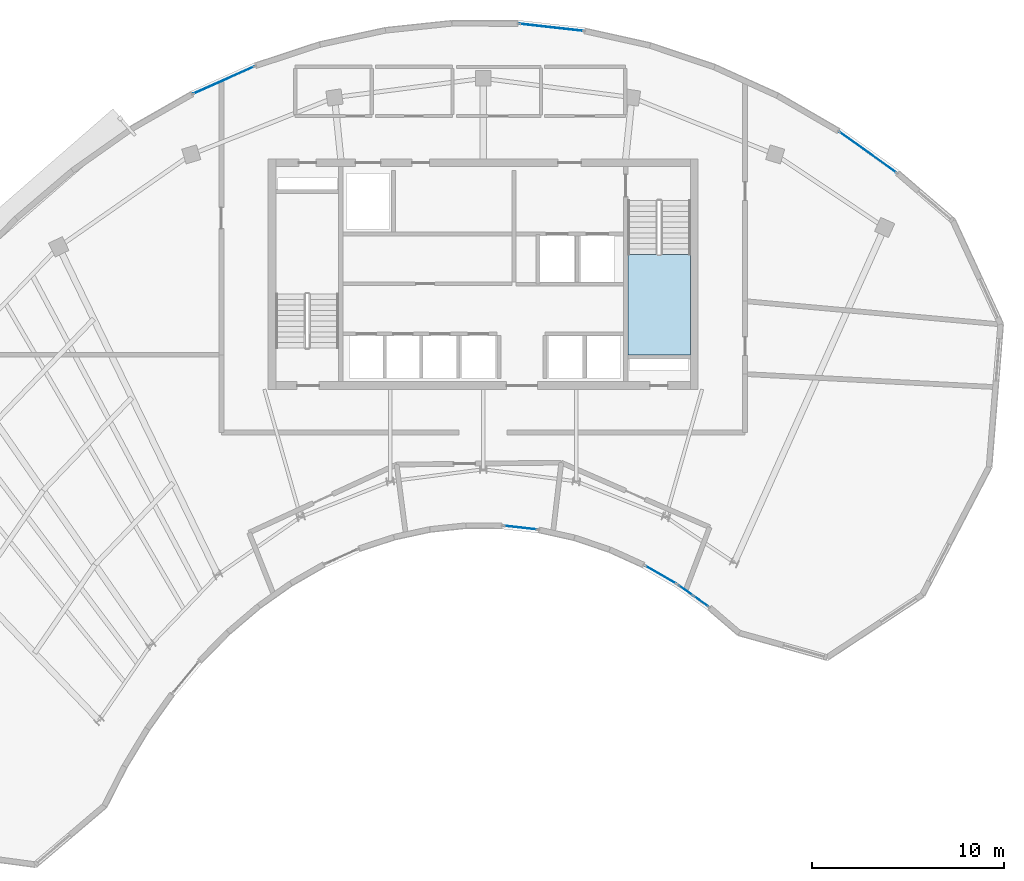
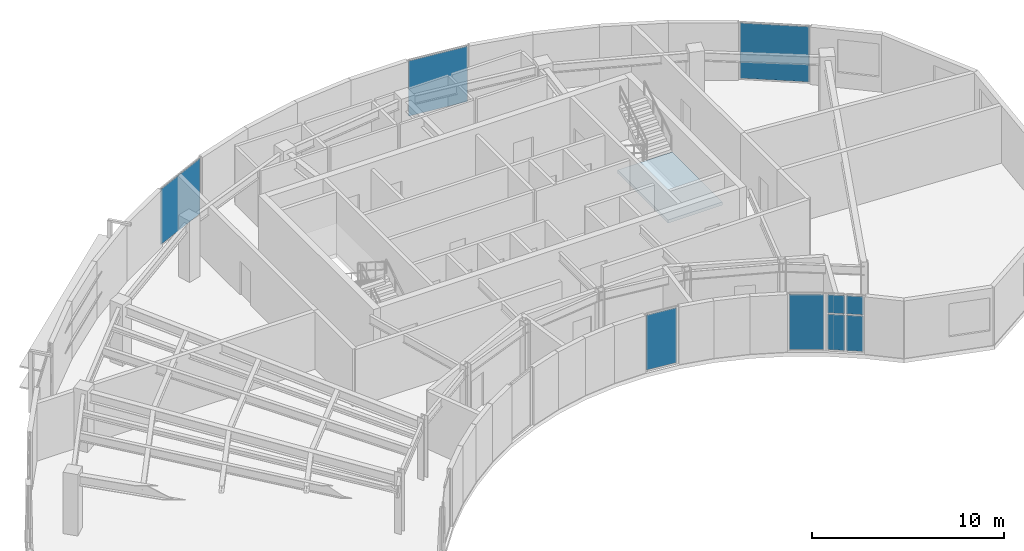
# One storey, part 7 of 12: 9 plates, 1 slab, 7 elements without a shape of their own.
"""IFC4 building model written with IfcOpenShell, lengths in metres."""

from ifc_helpers import new_model, si_unit, direction, frame, origin, origin_2d, place, context, subcontext, project, spatial, polyline, rectangle, outline, extrude, source, transform, mapped, material, layer, layer_set, type_object, element, aggregate, save


model = new_model("IFC4")

# Units and contexts
model_context = context("Model", 3, precision=1e-05, world=origin(), true_north=direction((0.0, 1.0)))
body_context = subcontext(model_context, "Body", "Model", "MODEL_VIEW")
ifc_project = project(units=[si_unit("LENGTHUNIT", "METRE"), si_unit("AREAUNIT", "SQUARE_METRE"), si_unit("VOLUMEUNIT", "CUBIC_METRE"), si_unit("PLANEANGLEUNIT", "RADIAN"), si_unit("MASSUNIT", "GRAM", prefix="KILO")], contexts=[model_context])

# Site, building, storey
site_placement = place(None, origin())
site = spatial("IfcSite", under=ifc_project, at=site_placement, CompositionType="ELEMENT")
building_placement = place(site_placement, origin())
building = spatial("IfcBuilding", under=site, at=building_placement, Name="Breltana Convention Tower", CompositionType="ELEMENT")
storey_placement = place(building_placement, frame((0.0, 0.0, 260.10009765625)))
storey = spatial("IfcBuildingStorey", under=building, at=storey_placement, Name="L63", CompositionType="ELEMENT", Elevation=260.10009765625)

# Stair, slab
ifc_material_1 = material(Name="Concrete C40/50", Category="concrete")
stair_type = type_object("IfcStairType", Name="ST-DOG-1560-R177", PredefinedType="HALF_TURN_STAIR", material=ifc_material_1)
stair_placement = place(storey_placement, origin())
stair = element("IfcStair", 1, at=stair_placement, inside=storey, type_object=stair_type, Name="L63 Protected Core Exit Stair ST-2", PredefinedType="HALF_TURN_STAIR")
ifc_layer_1 = layer(ifc_material_1, 0.199951171875, Name="Concrete C40/50")
ifc_layer_set_1 = layer_set([ifc_layer_1], Name="Concrete C40/50")
slab_type = type_object("IfcSlabType", Name="SL-STAIR-LANDING-200", PredefinedType="LANDING", material=ifc_layer_set_1)
slab_placement = place(storey_placement, frame((0.0, 0.0, 1.75)))
slab = element("IfcSlab", 2, at=slab_placement, type_object=slab_type, Name="ST-2 landing 1", PredefinedType="LANDING", context=body_context, shape_type="SweptSolid", body=[
    extrude(outline(polyline([(55.530029296875, 67.239990234375), (55.530029296875, 62.0), (58.800048828125, 62.0), (58.800048828125, 67.239990234375), (55.530029296875, 67.239990234375)])), origin(), (0.0, 0.0, 1.0), 0.199951171875),
])
aggregate(stair, [slab])

# Curtain wall, plates
ifc_material_2 = material(Name="Aluminium Anodised Bronze Frame", Category="aluminium")
ifc_layer_2 = layer(ifc_material_2, 0.18994140625, Name="Aluminium Anodised Bronze Frame")
ifc_layer_set_2 = layer_set([ifc_layer_2], Name="Aluminium Anodised Bronze Frame")
curtain_wall_type_1 = type_object("IfcCurtainWallType", Name="CW-SYS-1", PredefinedType="NOTDEFINED", material=ifc_layer_set_2)
curtain_wall_1_placement = place(storey_placement, origin())
curtain_wall_1 = element("IfcCurtainWall", 3, at=curtain_wall_1_placement, inside=storey, type_object=curtain_wall_type_1, Name="L63 inner south-court glazing 1", PredefinedType="NOTDEFINED")
ifc_material_3 = material(Name="Glass Low-E Double Glazing", Category="glass")
ifc_layer_3 = layer(ifc_material_3, 0.028076171875, Name="Glass Low-E Double Glazing")
ifc_layer_set_3 = layer_set([ifc_layer_3], Name="Glass Low-E Double Glazing")
plate_type_1 = type_object("IfcPlateType", Name="CWP-IGU-28", PredefinedType="CURTAIN_PANEL", material=ifc_layer_set_3)
shared_shape_1 = source(origin(), body_context, "Body", "SweptSolid", [
    extrude(rectangle(XDim=0.89599609375, YDim=0.028076171875, at=origin_2d()), origin(), (0.0, 0.0, 1.0), 2.25244140625),
])
plate_1_placement = place(storey_placement, frame((59.3466796875, 49.1650390625, 0.079833984375), z_axis=(0.0, 0.0, 1.0), x_axis=(-0.814148872575, 0.58065619198, 0.0)))
plate_1 = element("IfcPlate", 4, at=plate_1_placement, type_object=plate_type_1, Name="CW-01 panel 1.1", PredefinedType="CURTAIN_PANEL", context=body_context, shape_type="MappedRepresentation", body=[
    mapped(shared_shape_1, transform((0.0, 0.0, 0.0), scale=1.0)),
])
plate_2_placement = place(storey_placement, frame((58.552001953125, 49.731689453125, 0.079833984375), z_axis=(0.0, 0.0, 1.0), x_axis=(-0.814148872575, 0.58065619198, 0.0)))
plate_2 = element("IfcPlate", 5, at=plate_2_placement, type_object=plate_type_1, Name="CW-01 panel 2.1", PredefinedType="CURTAIN_PANEL", context=body_context, shape_type="MappedRepresentation", body=[
    mapped(shared_shape_1, transform((0.0, 0.0, 0.0), scale=1.0)),
])
shared_shape_2 = source(origin(), body_context, "Body", "SweptSolid", [
    extrude(rectangle(XDim=0.89599609375, YDim=0.028076171875, at=origin_2d()), origin(), (0.0, 0.0, 1.0), 1.157470703125),
])
plate_3_placement = place(storey_placement, frame((59.3466796875, 49.1650390625, 2.41259765625), z_axis=(0.0, 0.0, 1.0), x_axis=(-0.814148872575, 0.58065619198, 0.0)))
plate_3 = element("IfcPlate", 6, at=plate_3_placement, type_object=plate_type_1, Name="CW-01 panel 1.2", PredefinedType="CURTAIN_PANEL", context=body_context, shape_type="MappedRepresentation", body=[
    mapped(shared_shape_2, transform((0.0, 0.0, 0.0), scale=1.0)),
])
plate_4_placement = place(storey_placement, frame((58.552001953125, 49.731689453125, 2.41259765625), z_axis=(0.0, 0.0, 1.0), x_axis=(-0.814148872575, 0.58065619198, 0.0)))
plate_4 = element("IfcPlate", 7, at=plate_4_placement, type_object=plate_type_1, Name="CW-01 panel 2.2", PredefinedType="CURTAIN_PANEL", context=body_context, shape_type="MappedRepresentation", body=[
    mapped(shared_shape_2, transform((0.0, 0.0, 0.0), scale=1.0)),
])
aggregate(curtain_wall_1, [plate_1, plate_3, plate_2, plate_4])

# Curtain wall, plate
curtain_wall_2_placement = place(storey_placement, origin())
curtain_wall_2 = element("IfcCurtainWall", 8, at=curtain_wall_2_placement, inside=storey, type_object=curtain_wall_type_1, Name="L63 inner south-court glazing 2", PredefinedType="NOTDEFINED")
shared_shape_3 = source(origin(), body_context, "Body", "SweptSolid", [
    extrude(rectangle(XDim=1.828125, YDim=0.028076171875, at=origin_2d()), origin(), (0.0, 0.0, 1.0), 3.489990234375),
])
plate_5_placement = place(storey_placement, frame((57.24755859375, 50.5458984375, 0.080078125), z_axis=(0.0, 0.0, 1.0), x_axis=(-0.865321810221, 0.501216684434, 0.0)))
plate_5 = element("IfcPlate", 9, at=plate_5_placement, type_object=plate_type_1, Name="CW-01 panel 1.1", PredefinedType="CURTAIN_PANEL", context=body_context, shape_type="MappedRepresentation", body=[
    mapped(shared_shape_3, transform((0.0, 0.0, 0.0), scale=1.0)),
])
aggregate(curtain_wall_2, [plate_5])

curtain_wall_3_placement = place(storey_placement, origin())
curtain_wall_3 = element("IfcCurtainWall", 10, at=curtain_wall_3_placement, inside=storey, type_object=curtain_wall_type_1, Name="L63 inner south-court glazing 3", PredefinedType="NOTDEFINED")
shared_shape_4 = source(origin(), body_context, "Body", "SweptSolid", [
    extrude(rectangle(XDim=1.719482421875, YDim=0.028076171875, at=origin_2d()), origin(), (0.0, 0.0, 1.0), 3.489990234375),
])
plate_6_placement = place(storey_placement, frame((49.94140625, 53.0, 0.080078125), z_axis=(0.0, 0.0, 1.0), x_axis=(-0.993791245659, 0.111260774995, 0.0)))
plate_6 = element("IfcPlate", 11, at=plate_6_placement, type_object=plate_type_1, Name="CW-01 panel 1.1", PredefinedType="CURTAIN_PANEL", context=body_context, shape_type="MappedRepresentation", body=[
    mapped(shared_shape_4, transform((0.0, 0.0, 0.0), scale=1.0)),
])
aggregate(curtain_wall_3, [plate_6])

ifc_layer_4 = layer(ifc_material_2, 0.22998046875, Name="Aluminium Anodised Bronze Frame")
ifc_layer_set_4 = layer_set([ifc_layer_4], Name="Aluminium Anodised Bronze Frame")
curtain_wall_type_2 = type_object("IfcCurtainWallType", Name="CW-SYS-5", PredefinedType="NOTDEFINED", material=ifc_layer_set_4)
curtain_wall_4_placement = place(storey_placement, origin())
curtain_wall_4 = element("IfcCurtainWall", 12, at=curtain_wall_4_placement, inside=storey, type_object=curtain_wall_type_2, Name="L63 outer double-skin inner glazing 3", PredefinedType="NOTDEFINED")
ifc_layer_5 = layer(ifc_material_3, 0.035888671875, Name="Glass Low-E Double Glazing")
ifc_layer_set_5 = layer_set([ifc_layer_5], Name="Glass Low-E Double Glazing")
plate_type_2 = type_object("IfcPlateType", Name="CWP-IGU-36", PredefinedType="CURTAIN_PANEL", material=ifc_layer_set_5)
shared_shape_5 = source(origin(), body_context, "Body", "SweptSolid", [
    extrude(rectangle(XDim=3.458740234375, YDim=0.035888671875, at=origin_2d()), origin(), (0.0, 0.0, 1.0), 3.510009765625),
])
plate_7_placement = place(storey_placement, frame((34.489990234375, 76.31396484375, 0.06982421875), z_axis=(0.0, 0.0, 1.0), x_axis=(0.912711643437, 0.408604277921, 0.0)))
plate_7 = element("IfcPlate", 13, at=plate_7_placement, type_object=plate_type_2, Name="CW-05 panel 1.1", PredefinedType="CURTAIN_PANEL", context=body_context, shape_type="MappedRepresentation", body=[
    mapped(shared_shape_5, transform((0.0, 0.0, 0.0), scale=1.0)),
])
aggregate(curtain_wall_4, [plate_7])

curtain_wall_5_placement = place(storey_placement, origin())
curtain_wall_5 = element("IfcCurtainWall", 14, at=curtain_wall_5_placement, inside=storey, type_object=curtain_wall_type_2, Name="L63 outer double-skin inner glazing 4", PredefinedType="NOTDEFINED")
shared_shape_6 = source(origin(), body_context, "Body", "SweptSolid", [
    extrude(rectangle(XDim=3.330810546875, YDim=0.035888671875, at=origin_2d()), origin(), (0.0, 0.0, 1.0), 3.510009765625),
])
plate_8_placement = place(storey_placement, frame((51.54833984375, 79.060546875, 0.06982421875), z_axis=(0.0, 0.0, 1.0), x_axis=(0.993793457035, -0.111241021007, 0.0)))
plate_8 = element("IfcPlate", 15, at=plate_8_placement, type_object=plate_type_2, Name="CW-05 panel 1.1", PredefinedType="CURTAIN_PANEL", context=body_context, shape_type="MappedRepresentation", body=[
    mapped(shared_shape_6, transform((0.0, 0.0, 0.0), scale=1.0)),
])
aggregate(curtain_wall_5, [plate_8])

curtain_wall_6_placement = place(storey_placement, origin())
curtain_wall_6 = element("IfcCurtainWall", 16, at=curtain_wall_6_placement, inside=storey, type_object=curtain_wall_type_2, Name="L63 outer double-skin inner glazing 5", PredefinedType="NOTDEFINED")
shared_shape_7 = source(origin(), body_context, "Body", "SweptSolid", [
    extrude(rectangle(XDim=3.617431640625, YDim=0.035888671875, at=origin_2d()), origin(), (0.0, 0.0, 1.0), 3.510009765625),
])
plate_9_placement = place(storey_placement, frame((68.035888671875, 72.556884765625, 0.06982421875), z_axis=(0.0, 0.0, 1.0), x_axis=(0.814145062757, -0.58066153376, 0.0)))
plate_9 = element("IfcPlate", 17, at=plate_9_placement, type_object=plate_type_2, Name="CW-05 panel 1.1", PredefinedType="CURTAIN_PANEL", context=body_context, shape_type="MappedRepresentation", body=[
    mapped(shared_shape_7, transform((0.0, 0.0, 0.0), scale=1.0)),
])
aggregate(curtain_wall_6, [plate_9])

save(model, "model.ifc")
